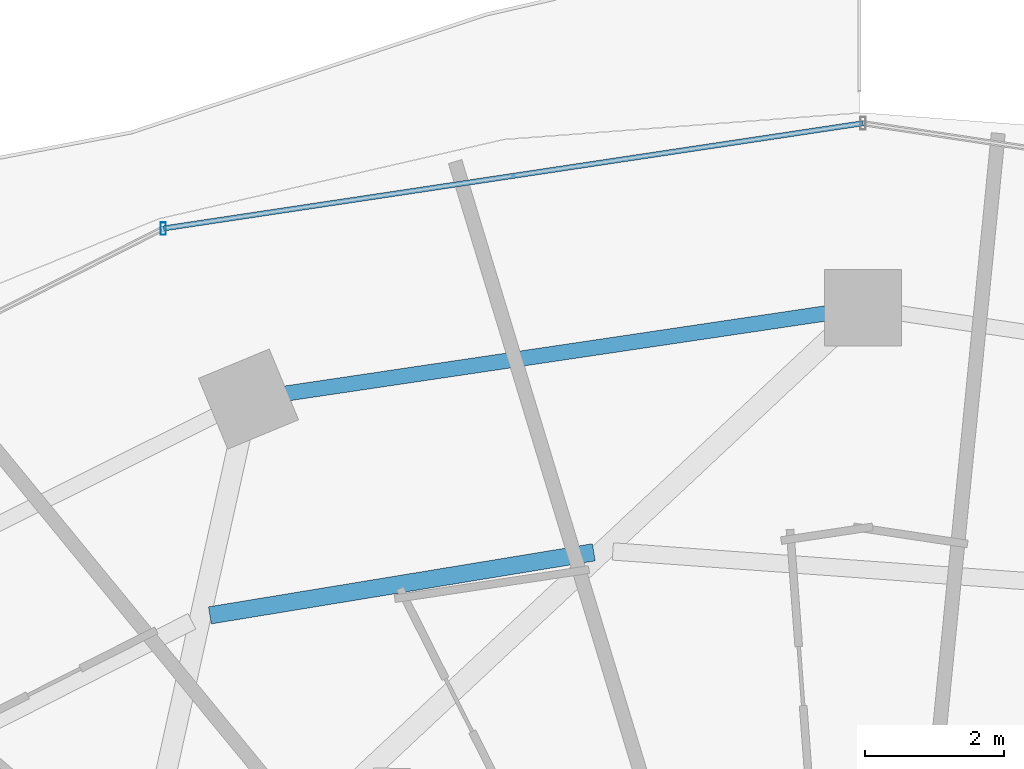
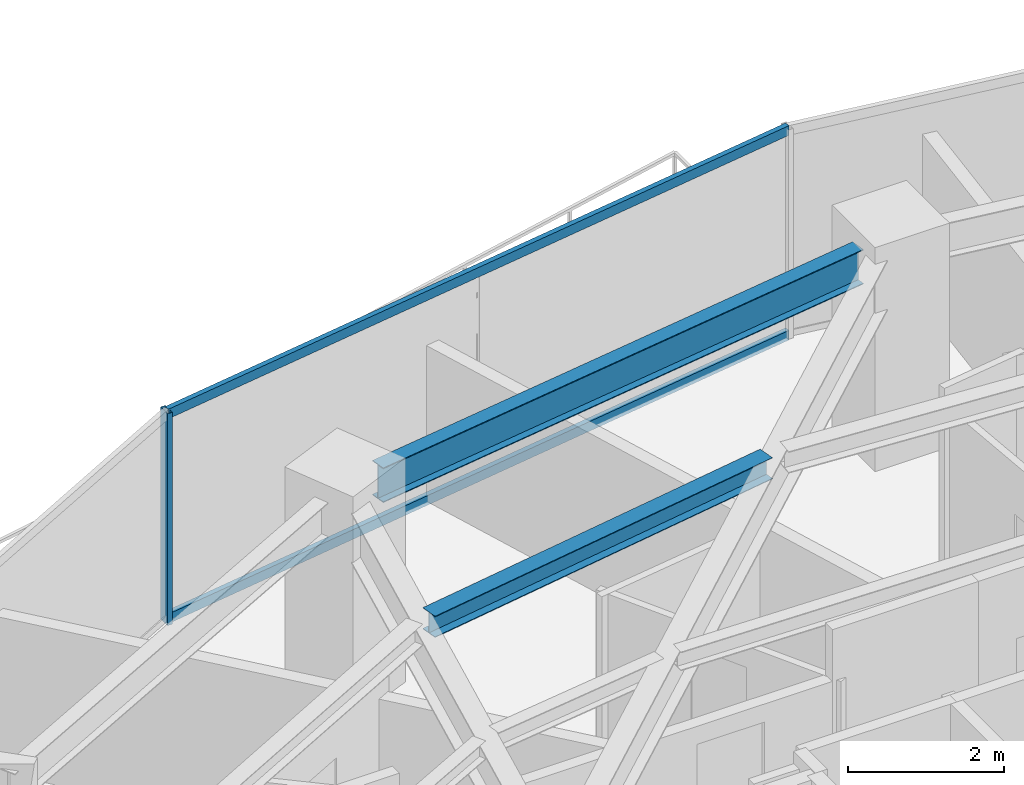
# One storey, part 17 of 29: 3 members, 2 beams, 1 element without a shape of its own.
"""IFC4 building model written with IfcOpenShell, lengths in metres."""

from ifc_helpers import new_model, si_unit, direction, frame, origin, origin_2d, place, context, subcontext, project, spatial, hollow_rectangle, i_section, extrude, material, material_profile, profile_set, type_object, element, aggregate, save


model = new_model("IFC4")

# Units and contexts
model_context = context("Model", 3, precision=1e-05, world=origin(), true_north=direction((0.0, 1.0)))
body_context = subcontext(model_context, "Body", "Model", "MODEL_VIEW")
ifc_project = project(units=[si_unit("LENGTHUNIT", "METRE"), si_unit("AREAUNIT", "SQUARE_METRE"), si_unit("VOLUMEUNIT", "CUBIC_METRE"), si_unit("PLANEANGLEUNIT", "RADIAN"), si_unit("MASSUNIT", "GRAM", prefix="KILO")], contexts=[model_context])

# Site, building, storey
site_placement = place(None, origin())
site = spatial("IfcSite", under=ifc_project, at=site_placement, CompositionType="ELEMENT")
building_placement = place(site_placement, origin())
building = spatial("IfcBuilding", under=site, at=building_placement, Name="Vorneva Point Tower", CompositionType="ELEMENT")
storey_placement = place(building_placement, frame((0.0, 0.0, 113.800048828125)))
storey = spatial("IfcBuildingStorey", under=building, at=storey_placement, Name="L30", CompositionType="ELEMENT", Elevation=113.800048828125)

# Beams
ifc_material_1 = material(Name="Steel S355", Category="steel")
ifc_material_profile_1 = material_profile(ifc_material_1, i_section(OverallWidth=0.2490234375, OverallDepth=0.333984375, WebThickness=0.008056640625, FlangeThickness=0.010986328125, at=origin_2d()), Name="35Sh1")
ifc_profile_set_1 = profile_set([ifc_material_profile_1], Name="Steel S355")
beam_type_1 = type_object("IfcBeamType", Name="BM-SEC-35Sh1", PredefinedType="BEAM", material=ifc_profile_set_1)
beam_1_placement = place(storey_placement, frame((34.135009765625, 39.691650390625, 3.072998046875), z_axis=(-0.986762474115, -0.162172191443, 0.0), x_axis=(0.162172191443, -0.986762474115, 0.0)))
element("IfcBeam", 1, at=beam_1_placement, inside=storey, type_object=beam_type_1, Name="L30 Secondary Floor Beam 1.05", PredefinedType="BEAM", context=body_context, shape_type="SweptSolid", body=[
    extrude(i_section(OverallWidth=0.2490234375, OverallDepth=0.333984375, WebThickness=0.008056640625, FlangeThickness=0.010986328125, at=origin_2d()), origin(), (0.0, 0.0, 1.0), 5.583740234375),
])
ifc_material_profile_2 = material_profile(ifc_material_1, i_section(OverallWidth=0.219970703125, OverallDepth=0.54296875, WebThickness=0.009521484375, FlangeThickness=0.013427734375, at=origin_2d()), Name="55B1")
ifc_profile_set_2 = profile_set([ifc_material_profile_2], Name="Steel S355")
beam_type_2 = type_object("IfcBeamType", Name="BM-SPN-55B1", PredefinedType="SPANDREL", material=ifc_profile_set_2)
beam_2_placement = place(storey_placement, frame((37.470703125, 43.121337890625, 2.968505859375), z_axis=(-0.989164507783, -0.146811363806, 0.0), x_axis=(0.146811363806, -0.989164507783, 0.0)))
element("IfcBeam", 2, at=beam_2_placement, inside=storey, type_object=beam_type_2, Name="L30 Perimeter Spandrel Ring Beam 05", PredefinedType="SPANDREL", context=body_context, shape_type="SweptSolid", body=[
    extrude(i_section(OverallWidth=0.219970703125, OverallDepth=0.54296875, WebThickness=0.009521484375, FlangeThickness=0.013427734375, at=origin_2d()), origin(), (0.0, 0.0, 1.0), 7.847412109375),
])

# Curtain wall, members
ifc_material_2 = material(Name="Pale anodised aluminium", Category="aluminium")
curtain_wall_type = type_object("IfcCurtainWallType", Name="CW-HTL-SYS", PredefinedType="NOTDEFINED", material=ifc_material_2)
curtain_wall_placement = place(storey_placement, origin())
curtain_wall = element("IfcCurtainWall", 3, at=curtain_wall_placement, inside=storey, type_object=curtain_wall_type, Name="L30 Unitised Curtain Wall CW-L30-R02", PredefinedType="NOTDEFINED")
ifc_material_profile_3 = material_profile(ifc_material_2, hollow_rectangle(XDim=0.074951171875, YDim=0.179931640625, WallThickness=0.00390625, at=origin_2d()), Name="AL-MUL 180x75x4")
ifc_profile_set_3 = profile_set([ifc_material_profile_3], Name="Pale anodised aluminium")
member_type_1 = type_object("IfcMemberType", Name="CW-MUL-180", PredefinedType="MULLION", material=ifc_profile_set_3)
member_1_placement = place(storey_placement, frame((27.95458984375, 44.339111328125, -0.0400390625), z_axis=(0.0, 0.0, 1.0), x_axis=(1.0, 0.0, 0.0)))
member_1 = element("IfcMember", 4, at=member_1_placement, type_object=member_type_1, Name="CW-L30-R02 Mullion 04", PredefinedType="MULLION", context=body_context, shape_type="SweptSolid", body=[
    extrude(hollow_rectangle(XDim=0.074951171875, YDim=0.179931640625, WallThickness=0.00390625, at=origin_2d()), origin(), (0.0, 0.0, 1.0), 3.31005859375),
])
ifc_material_profile_4 = material_profile(ifc_material_2, hollow_rectangle(XDim=0.074951171875, YDim=0.14990234375, WallThickness=0.00390625, at=origin_2d()), Name="AL-TRN 150x75x4")
ifc_profile_set_4 = profile_set([ifc_material_profile_4], Name="Pale anodised aluminium")
member_type_2 = type_object("IfcMemberType", Name="CW-TRN-150", PredefinedType="USERDEFINED", material=ifc_profile_set_4)
member_2_placement = place(storey_placement, frame((38.0, 45.85009765625, 0.02001953125), z_axis=(-0.988875982167, -0.148742367512, 0.0), x_axis=(0.148742367512, -0.988875982167, 0.0)))
member_2 = element("IfcMember", 5, at=member_2_placement, type_object=member_type_2, Name="CW-L30-R02 Transom 03.1", ObjectType="TRANSOM", PredefinedType="USERDEFINED", context=body_context, shape_type="SweptSolid", body=[
    extrude(hollow_rectangle(XDim=0.074951171875, YDim=0.14990234375, WallThickness=0.00390625, at=origin_2d()), origin(), (0.0, 0.0, 1.0), 10.158447265625),
])
member_3_placement = place(storey_placement, frame((38.0, 45.85009765625, 3.219970703125), z_axis=(-0.988875982167, -0.148742367512, 0.0), x_axis=(0.148742367512, -0.988875982167, 0.0)))
member_3 = element("IfcMember", 6, at=member_3_placement, type_object=member_type_2, Name="CW-L30-R02 Transom 03.2", ObjectType="TRANSOM", PredefinedType="USERDEFINED", context=body_context, shape_type="SweptSolid", body=[
    extrude(hollow_rectangle(XDim=0.074951171875, YDim=0.14990234375, WallThickness=0.00390625, at=origin_2d()), origin(), (0.0, 0.0, 1.0), 10.158447265625),
])
aggregate(curtain_wall, [member_1, member_2, member_3])

save(model, "model.ifc")
